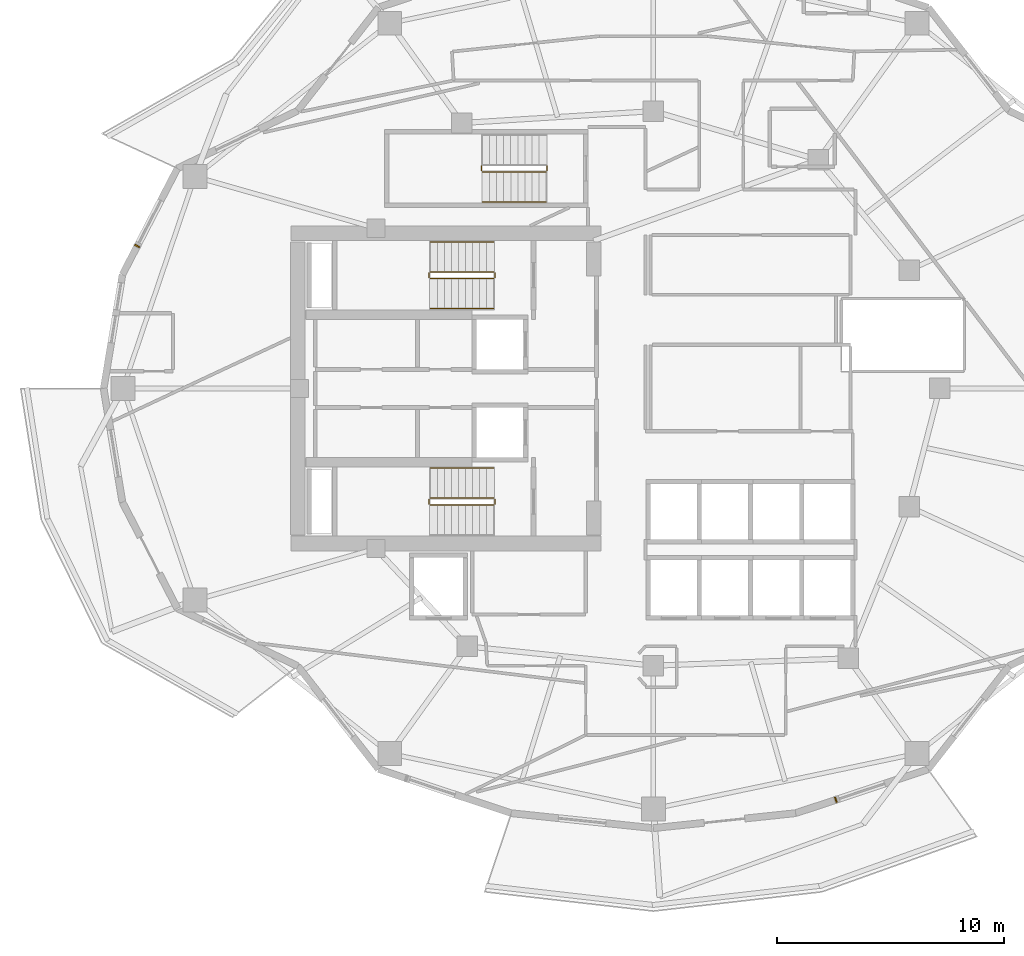
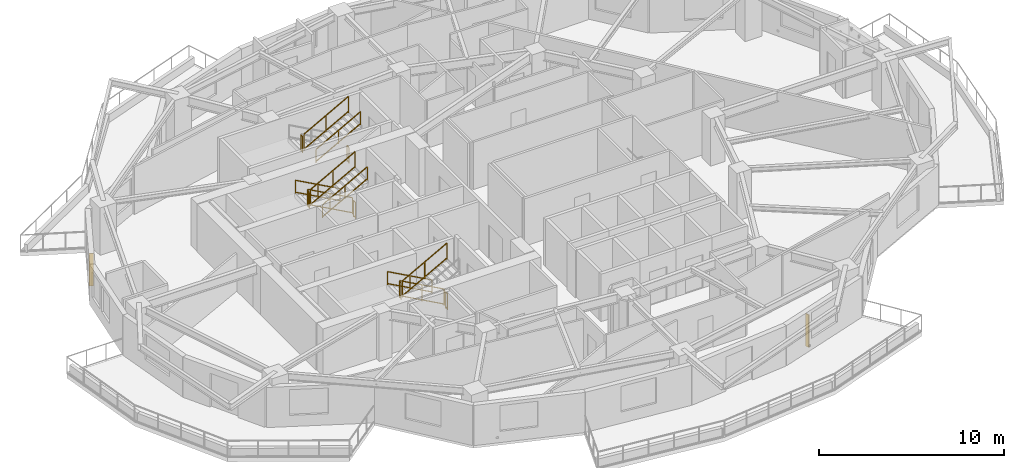
# One storey, part 12 of 14: 15 railings, 2 shading devices.
"""IFC4 building model written with IfcOpenShell, lengths in metres."""

import ifcopenshell
import ifcopenshell.guid

model = None  # the IFC model being written
_history = None  # IfcOwnerHistory: only IFC2X3 demands one
_inside = {}  # id of a spatial element -> (the spatial element, [elements in it])
_under = {}  # id of a project, library or spatial element -> (it, [spatial elements below it])
_declared = {}  # id of a project -> (the project, [libraries it declares])
_typed = {}  # id of a type object -> (the type object, [elements of that type])
_made_of = {}  # id of a material, layer set ... -> (it, [elements and type objects made of it])


def new_model(schema):
    """Start an empty IFC model of exactly this schema.

    Asked for "IFC4X3", IfcOpenShell would pick the latest addendum, in which some entities
    have other attributes; the version numbers below select the first issue.
    IFC2X3 requires an IfcOwnerHistory on every rooted entity: one is made here for all.
    """
    global model, _history
    if schema == "IFC4X3":
        model = ifcopenshell.file(schema_version=(4, 3, 0, 0))
    else:
        model = ifcopenshell.file(schema=schema)
    _inside.clear()
    _under.clear()
    _declared.clear()
    _typed.clear()
    _made_of.clear()
    _history = None
    if model.schema == "IFC2X3":
        org = make("IfcOrganization", Name="unknown")
        user = make(
            "IfcPersonAndOrganization",
            ThePerson=make("IfcPerson", FamilyName="unknown"),
            TheOrganization=org,
        )
        app = make(
            "IfcApplication",
            ApplicationDeveloper=org,
            Version="unknown",
            ApplicationFullName="unknown",
            ApplicationIdentifier="unknown",
        )
        _history = make(
            "IfcOwnerHistory",
            OwningUser=user,
            OwningApplication=app,
            ChangeAction="ADDED",
            CreationDate=0,
        )
    return model


def make(cls, **values):
    """One entity of the class cls with the attributes given. An attribute that is None is left unset."""
    return model.create_entity(
        cls, **{name: value for name, value in values.items() if value is not None}
    )


def rooted(cls, **values):
    """An entity with a GlobalId (a new one), such as an element, a storey or a relation."""
    return make(cls, GlobalId=ifcopenshell.guid.new(), OwnerHistory=_history, **values)


def si_unit(unit_type, name, prefix=None):
    """IfcSIUnit, for example si_unit("LENGTHUNIT", "METRE", prefix="MILLI")."""
    return make("IfcSIUnit", UnitType=unit_type, Prefix=prefix, Name=name)


def assignment(units):
    """IfcUnitAssignment: the units of a project."""
    return None if units is None else make("IfcUnitAssignment", Units=units)


def point(xyz):
    """IfcCartesianPoint."""
    return None if xyz is None else make("IfcCartesianPoint", Coordinates=xyz)


def direction(xyz):
    """IfcDirection."""
    return None if xyz is None else make("IfcDirection", DirectionRatios=xyz)


def frame(location, z_axis=None, x_axis=None):
    """IfcAxis2Placement3D, a coordinate frame: its origin and axes. An axis left out is left unset."""
    return make(
        "IfcAxis2Placement3D",
        Location=point(location),
        Axis=direction(z_axis),
        RefDirection=direction(x_axis),
    )


def frame_2d(location, x_axis=None):
    """IfcAxis2Placement2D, a coordinate frame in the plane: its origin and x axis."""
    return make(
        "IfcAxis2Placement2D", Location=point(location), RefDirection=direction(x_axis)
    )


def origin():
    """The frame at (0, 0, 0) with its axes left unset."""
    return frame((0.0, 0.0, 0.0))


def origin_2d():
    """The frame at (0, 0) in the plane with its x axis left unset."""
    return frame_2d((0.0, 0.0))


def place(relative_to, where):
    """IfcLocalPlacement: puts the frame where relative to a parent placement (None: the world)."""
    return make(
        "IfcLocalPlacement", PlacementRelTo=relative_to, RelativePlacement=where
    )


def context(
    kind, dimensions, precision=None, world=None, true_north=None, identifier=None
):
    """IfcGeometricRepresentationContext, for example the 3D "Model" context."""
    return make(
        "IfcGeometricRepresentationContext",
        ContextIdentifier=identifier,
        ContextType=kind,
        CoordinateSpaceDimension=dimensions,
        Precision=precision,
        WorldCoordinateSystem=world,
        TrueNorth=true_north,
    )


def subcontext(parent, identifier, kind, view, scale=None):
    """IfcGeometricRepresentationSubContext, for example "Body" below "Model"."""
    return make(
        "IfcGeometricRepresentationSubContext",
        ContextIdentifier=identifier,
        ContextType=kind,
        ParentContext=parent,
        TargetScale=scale,
        TargetView=view,
    )


def project(units=None, contexts=None):
    """IfcProject with its units and contexts."""
    return rooted(
        "IfcProject",
        Name="project",
        RepresentationContexts=contexts,
        UnitsInContext=assignment(units),
    )


def spatial(cls, under=None, at=None, **own):
    """A site, building, storey or space (cls), placed at a placement, below another one or the project."""
    s = rooted(cls, ObjectPlacement=at, **own)
    if under is not None:
        _under.setdefault(under.id(), (under, []))[1].append(s)
    return s


def profile(cls, at=None, kind="AREA", **sizes):
    """A parametric profile (cls). Its sizes go by their IFC names, for example OverallWidth=200.0."""
    return make(cls, ProfileType=kind, Position=at, **sizes)


def rectangle(**sizes):
    """IfcRectangleProfileDef."""
    return profile("IfcRectangleProfileDef", **sizes)


def extrude(swept, where, along, depth):
    """IfcExtrudedAreaSolid: the profile swept, set in the frame where, extruded along a direction by depth."""
    return make(
        "IfcExtrudedAreaSolid",
        SweptArea=swept,
        Position=where,
        ExtrudedDirection=direction(along),
        Depth=depth,
    )


def shape(context_of_items, identifier, shape_type, items):
    """IfcShapeRepresentation: the items that make up one representation, for example the "Body"."""
    return make(
        "IfcShapeRepresentation",
        ContextOfItems=context_of_items,
        RepresentationIdentifier=identifier,
        RepresentationType=shape_type,
        Items=items,
    )


def material(Name=None, Category=None):
    """IfcMaterial."""
    return make("IfcMaterial", Name=Name, Category=Category)


def made_of(thing, what):
    """Note that an element or type object is made of a material, layer set ...; save() writes the relation."""
    if what is not None:
        _made_of.setdefault(what.id(), (what, []))[1].append(thing)
    return thing


def type_object(cls, material=None, **own):
    """A type object (cls), such as IfcWallType, which elements share."""
    return made_of(rooted(cls, **own), material)


def element(
    cls,
    number,
    at=None,
    inside=None,
    cuts=None,
    type_object=None,
    material=None,
    context=None,
    identifier="Body",
    shape_type=None,
    held_by="IfcProductDefinitionShape",
    body=None,
    shapes=None,
    **own,
):
    """One element of the class cls, such as IfcWall. Its Tag is "e" and its number.

    at: its placement. inside: the storey or other place that contains it. cuts: it is an
    opening in that element (IfcRelVoidsElement). A single representation is given by context,
    identifier, shape_type and body (its items); several are given by shapes. held_by: the class
    of the entity that holds the representations. save() writes the other relations.
    """
    e = rooted(cls, Tag="e%d" % number, ObjectPlacement=at, **own)
    if body is not None:
        shapes = [shape(context, identifier, shape_type, body)]
    if shapes is not None:
        e.Representation = make(held_by, Representations=shapes)
    if inside is not None:
        _inside.setdefault(inside.id(), (inside, []))[1].append(e)
    if cuts is not None:
        rooted(
            "IfcRelVoidsElement", RelatingBuildingElement=cuts, RelatedOpeningElement=e
        )
    if type_object is not None:
        _typed.setdefault(type_object.id(), (type_object, []))[1].append(e)
    return made_of(e, material)


def aggregate(whole, parts):
    """IfcRelAggregates: a whole, such as a stair, and the parts it consists of."""
    return rooted("IfcRelAggregates", RelatingObject=whole, RelatedObjects=parts)


def save(model, path):
    """Write the relations noted so far, then the file.

    IfcRelAggregates (storeys below a building ...), IfcRelContainedInSpatialStructure (elements
    in a storey), IfcRelDefinesByType, IfcRelAssociatesMaterial and IfcRelDeclares: one each for
    every whole, place, type object, material and project.
    """
    for whole, parts in _under.values():
        aggregate(whole, parts)
    for where, things in _inside.values():
        rooted(
            "IfcRelContainedInSpatialStructure",
            RelatedElements=things,
            RelatingStructure=where,
        )
    for kind, things in _typed.values():
        rooted("IfcRelDefinesByType", RelatedObjects=things, RelatingType=kind)
    for what, things in _made_of.values():
        rooted("IfcRelAssociatesMaterial", RelatedObjects=things, RelatingMaterial=what)
    for by, libraries in _declared.values():
        rooted("IfcRelDeclares", RelatingContext=by, RelatedDefinitions=libraries)
    model.write(path)


model = new_model("IFC4")

# Units and contexts
model_context = context("Model", 3, precision=1e-05, world=origin(), true_north=direction((0.0, 1.0)))
body_context = subcontext(model_context, "Body", "Model", "MODEL_VIEW")
ifc_project = project(units=[si_unit("LENGTHUNIT", "METRE"), si_unit("AREAUNIT", "SQUARE_METRE"), si_unit("VOLUMEUNIT", "CUBIC_METRE"), si_unit("PLANEANGLEUNIT", "RADIAN"), si_unit("MASSUNIT", "GRAM", prefix="KILO")], contexts=[model_context])

# Site, building, storey
site_placement = place(None, origin())
site = spatial("IfcSite", under=ifc_project, at=site_placement, CompositionType="ELEMENT")
building_placement = place(site_placement, origin())
building = spatial("IfcBuilding", under=site, at=building_placement, Name="Kolvaren Gate Tower and Convention Centre", CompositionType="ELEMENT")
storey_placement = place(building_placement, frame((0.0, 0.0, 118.89990234375)))
storey = spatial("IfcBuildingStorey", under=building, at=storey_placement, Name="L29", CompositionType="ELEMENT", Elevation=118.89990234375)

# Railings
ifc_material_1 = material(Name="Brushed Stainless Steel Grade 316L", Category="steel")
railing_type_1 = type_object("IfcRailingType", Name="ARCH-RL-GUARD-1150", PredefinedType="GUARDRAIL", material=ifc_material_1)
railing_1_placement = place(storey_placement, frame((23.10009765625, 32.1298828125, 0.170166015625)))
element("IfcRailing", 1, at=railing_1_placement, inside=storey, type_object=railing_type_1, Name="L29 ST-T1 stair guard 1", PredefinedType="GUARDRAIL", context=body_context, shape_type="SweptSolid", body=[
    extrude(rectangle(XDim=0.048095703125, YDim=0.048095703125, at=origin_2d()), frame((0.0, 0.0, 1.076171875), z_axis=(-0.876811365212, 0.0, 0.480834513982), x_axis=(0.0, -1.0, 0.0)), (0.0, 0.0, 1.0), 3.18212890625),
    extrude(rectangle(XDim=0.048095703125, YDim=0.048095703125, at=origin_2d()), frame((0.0, 0.0, 0.083984375), z_axis=(-0.876811365212, 0.0, 0.480834513982), x_axis=(0.0, -1.0, 0.0)), (0.0, 0.0, 1.0), 3.18212890625),
    extrude(rectangle(XDim=0.0419921875, YDim=0.0419921875, at=origin_2d()), origin(), (0.0, 0.0, 1.0), 1.050048828125),
    extrude(rectangle(XDim=0.0419921875, YDim=0.0419921875, at=origin_2d()), frame((-2.7900390625, 0.0, 1.530029296875)), (0.0, 0.0, 1.0), 1.050048828125),
    extrude(rectangle(XDim=0.0419921875, YDim=0.0419921875, at=origin_2d()), frame((-1.39501953125, 0.0, 0.76513671875)), (0.0, 0.0, 1.0), 1.050048828125),
])
railing_2_placement = place(storey_placement, frame((20.260009765625, 32.080078125, 1.7001953125)))
element("IfcRailing", 2, at=railing_2_placement, inside=storey, type_object=railing_type_1, Name="L29 ST-T1 stair guard 2", PredefinedType="GUARDRAIL", context=body_context, shape_type="SweptSolid", body=[
    extrude(rectangle(XDim=0.048095703125, YDim=0.048095703125, at=origin_2d()), frame((0.0, 0.0, 1.076171875), z_axis=(0.0, -1.0, 0.0), x_axis=(1.0, 0.0, 0.0)), (0.0, 0.0, 1.0), 0.2001953125),
    extrude(rectangle(XDim=0.048095703125, YDim=0.048095703125, at=origin_2d()), frame((0.0, 0.0, 0.083984375), z_axis=(0.0, -1.0, 0.0), x_axis=(1.0, 0.0, 0.0)), (0.0, 0.0, 1.0), 0.2001953125),
    extrude(rectangle(XDim=0.0419921875, YDim=0.0419921875, at=origin_2d()), origin(), (0.0, 0.0, 1.0), 1.050048828125),
    extrude(rectangle(XDim=0.0419921875, YDim=0.0419921875, at=origin_2d()), frame((0.0, -0.2001953125, 0.0)), (0.0, 0.0, 1.0), 1.050048828125),
])
railing_3_placement = place(storey_placement, frame((20.31005859375, 31.830078125, 1.8701171875)))
element("IfcRailing", 3, at=railing_3_placement, inside=storey, type_object=railing_type_1, Name="L29 ST-T1 stair guard 3", PredefinedType="GUARDRAIL", context=body_context, shape_type="SweptSolid", body=[
    extrude(rectangle(XDim=0.048095703125, YDim=0.048095703125, at=origin_2d()), frame((0.0, 0.0, 1.076171875), z_axis=(0.876811365212, 0.0, 0.480834513982), x_axis=(0.0, 1.0, 0.0)), (0.0, 0.0, 1.0), 3.18212890625),
    extrude(rectangle(XDim=0.048095703125, YDim=0.048095703125, at=origin_2d()), frame((0.0, 0.0, 0.083984375), z_axis=(0.876811365212, 0.0, 0.480834513982), x_axis=(0.0, 1.0, 0.0)), (0.0, 0.0, 1.0), 3.18212890625),
    extrude(rectangle(XDim=0.0419921875, YDim=0.0419921875, at=origin_2d()), origin(), (0.0, 0.0, 1.0), 1.050048828125),
    extrude(rectangle(XDim=0.0419921875, YDim=0.0419921875, at=origin_2d()), frame((2.7900390625, 0.0, 1.530029296875)), (0.0, 0.0, 1.0), 1.050048828125),
    extrude(rectangle(XDim=0.0419921875, YDim=0.0419921875, at=origin_2d()), frame((1.39501953125, 0.0, 0.76513671875)), (0.0, 0.0, 1.0), 1.050048828125),
])
railing_4_placement = place(storey_placement, frame((23.14990234375, 32.080078125, 0.0)))
element("IfcRailing", 4, at=railing_4_placement, inside=storey, type_object=railing_type_1, Name="L29 ST-T1 stair guard 4", PredefinedType="GUARDRAIL", context=body_context, shape_type="SweptSolid", body=[
    extrude(rectangle(XDim=0.048095703125, YDim=0.048095703125, at=origin_2d()), frame((0.0, 0.0, 1.076171875), z_axis=(0.0, -1.0, 0.0), x_axis=(1.0, 0.0, 0.0)), (0.0, 0.0, 1.0), 0.2001953125),
    extrude(rectangle(XDim=0.048095703125, YDim=0.048095703125, at=origin_2d()), frame((0.0, 0.0, 0.083984375), z_axis=(0.0, -1.0, 0.0), x_axis=(1.0, 0.0, 0.0)), (0.0, 0.0, 1.0), 0.2001953125),
    extrude(rectangle(XDim=0.0419921875, YDim=0.0419921875, at=origin_2d()), origin(), (0.0, 0.0, 1.0), 1.050048828125),
    extrude(rectangle(XDim=0.0419921875, YDim=0.0419921875, at=origin_2d()), frame((0.0, -0.2001953125, 0.0)), (0.0, 0.0, 1.0), 1.050048828125),
])
railing_5_placement = place(storey_placement, frame((23.10009765625, 22.169921875, 0.170166015625)))
element("IfcRailing", 5, at=railing_5_placement, inside=storey, type_object=railing_type_1, Name="L29 ST-T2 stair guard 1", PredefinedType="GUARDRAIL", context=body_context, shape_type="SweptSolid", body=[
    extrude(rectangle(XDim=0.048095703125, YDim=0.048095703125, at=origin_2d()), frame((0.0, 0.0, 1.076171875), z_axis=(-0.876811365212, 0.0, 0.480834513982), x_axis=(0.0, -1.0, 0.0)), (0.0, 0.0, 1.0), 3.18212890625),
    extrude(rectangle(XDim=0.048095703125, YDim=0.048095703125, at=origin_2d()), frame((0.0, 0.0, 0.083984375), z_axis=(-0.876811365212, 0.0, 0.480834513982), x_axis=(0.0, -1.0, 0.0)), (0.0, 0.0, 1.0), 3.18212890625),
    extrude(rectangle(XDim=0.0419921875, YDim=0.0419921875, at=origin_2d()), origin(), (0.0, 0.0, 1.0), 1.050048828125),
    extrude(rectangle(XDim=0.0419921875, YDim=0.0419921875, at=origin_2d()), frame((-2.7900390625, 0.0, 1.530029296875)), (0.0, 0.0, 1.0), 1.050048828125),
    extrude(rectangle(XDim=0.0419921875, YDim=0.0419921875, at=origin_2d()), frame((-1.39501953125, 0.0, 0.76513671875)), (0.0, 0.0, 1.0), 1.050048828125),
])
railing_6_placement = place(storey_placement, frame((20.260009765625, 22.1201171875, 1.7001953125)))
element("IfcRailing", 6, at=railing_6_placement, inside=storey, type_object=railing_type_1, Name="L29 ST-T2 stair guard 2", PredefinedType="GUARDRAIL", context=body_context, shape_type="SweptSolid", body=[
    extrude(rectangle(XDim=0.048095703125, YDim=0.048095703125, at=origin_2d()), frame((0.0, 0.0, 1.076171875), z_axis=(0.0, -1.0, 0.0), x_axis=(1.0, 0.0, 0.0)), (0.0, 0.0, 1.0), 0.2001953125),
    extrude(rectangle(XDim=0.048095703125, YDim=0.048095703125, at=origin_2d()), frame((0.0, 0.0, 0.083984375), z_axis=(0.0, -1.0, 0.0), x_axis=(1.0, 0.0, 0.0)), (0.0, 0.0, 1.0), 0.2001953125),
    extrude(rectangle(XDim=0.0419921875, YDim=0.0419921875, at=origin_2d()), origin(), (0.0, 0.0, 1.0), 1.050048828125),
    extrude(rectangle(XDim=0.0419921875, YDim=0.0419921875, at=origin_2d()), frame((0.0, -0.2001953125, 0.0)), (0.0, 0.0, 1.0), 1.050048828125),
])
railing_7_placement = place(storey_placement, frame((20.31005859375, 21.8701171875, 1.8701171875)))
element("IfcRailing", 7, at=railing_7_placement, inside=storey, type_object=railing_type_1, Name="L29 ST-T2 stair guard 3", PredefinedType="GUARDRAIL", context=body_context, shape_type="SweptSolid", body=[
    extrude(rectangle(XDim=0.048095703125, YDim=0.048095703125, at=origin_2d()), frame((0.0, 0.0, 1.076171875), z_axis=(0.876811365212, 0.0, 0.480834513982), x_axis=(0.0, 1.0, 0.0)), (0.0, 0.0, 1.0), 3.18212890625),
    extrude(rectangle(XDim=0.048095703125, YDim=0.048095703125, at=origin_2d()), frame((0.0, 0.0, 0.083984375), z_axis=(0.876811365212, 0.0, 0.480834513982), x_axis=(0.0, 1.0, 0.0)), (0.0, 0.0, 1.0), 3.18212890625),
    extrude(rectangle(XDim=0.0419921875, YDim=0.0419921875, at=origin_2d()), origin(), (0.0, 0.0, 1.0), 1.050048828125),
    extrude(rectangle(XDim=0.0419921875, YDim=0.0419921875, at=origin_2d()), frame((2.7900390625, 0.0, 1.530029296875)), (0.0, 0.0, 1.0), 1.050048828125),
    extrude(rectangle(XDim=0.0419921875, YDim=0.0419921875, at=origin_2d()), frame((1.39501953125, 0.0, 0.76513671875)), (0.0, 0.0, 1.0), 1.050048828125),
])
railing_8_placement = place(storey_placement, frame((23.14990234375, 22.1201171875, 0.0)))
element("IfcRailing", 8, at=railing_8_placement, inside=storey, type_object=railing_type_1, Name="L29 ST-T2 stair guard 4", PredefinedType="GUARDRAIL", context=body_context, shape_type="SweptSolid", body=[
    extrude(rectangle(XDim=0.048095703125, YDim=0.048095703125, at=origin_2d()), frame((0.0, 0.0, 1.076171875), z_axis=(0.0, -1.0, 0.0), x_axis=(1.0, 0.0, 0.0)), (0.0, 0.0, 1.0), 0.2001953125),
    extrude(rectangle(XDim=0.048095703125, YDim=0.048095703125, at=origin_2d()), frame((0.0, 0.0, 0.083984375), z_axis=(0.0, -1.0, 0.0), x_axis=(1.0, 0.0, 0.0)), (0.0, 0.0, 1.0), 0.2001953125),
    extrude(rectangle(XDim=0.0419921875, YDim=0.0419921875, at=origin_2d()), origin(), (0.0, 0.0, 1.0), 1.050048828125),
    extrude(rectangle(XDim=0.0419921875, YDim=0.0419921875, at=origin_2d()), frame((0.0, -0.2001953125, 0.0)), (0.0, 0.0, 1.0), 1.050048828125),
])
railing_9_placement = place(storey_placement, frame((22.56005859375, 36.780029296875, 1.7001953125)))
element("IfcRailing", 9, at=railing_9_placement, inside=storey, type_object=railing_type_1, Name="L29 ST-T3 stair guard 2", PredefinedType="GUARDRAIL", context=body_context, shape_type="SweptSolid", body=[
    extrude(rectangle(XDim=0.048095703125, YDim=0.048095703125, at=origin_2d()), frame((0.0, 0.0, 1.076171875), z_axis=(0.0, -1.0, 0.0), x_axis=(1.0, 0.0, 0.0)), (0.0, 0.0, 1.0), 0.199951171875),
    extrude(rectangle(XDim=0.048095703125, YDim=0.048095703125, at=origin_2d()), frame((0.0, 0.0, 0.083984375), z_axis=(0.0, -1.0, 0.0), x_axis=(1.0, 0.0, 0.0)), (0.0, 0.0, 1.0), 0.199951171875),
    extrude(rectangle(XDim=0.0419921875, YDim=0.0419921875, at=origin_2d()), origin(), (0.0, 0.0, 1.0), 1.050048828125),
    extrude(rectangle(XDim=0.0419921875, YDim=0.0419921875, at=origin_2d()), frame((0.0, -0.199951171875, 0.0)), (0.0, 0.0, 1.0), 1.050048828125),
])
railing_10_placement = place(storey_placement, frame((22.610107421875, 36.530029296875, 1.8701171875)))
element("IfcRailing", 10, at=railing_10_placement, inside=storey, type_object=railing_type_1, Name="L29 ST-T3 stair guard 3", PredefinedType="GUARDRAIL", context=body_context, shape_type="SweptSolid", body=[
    extrude(rectangle(XDim=0.048095703125, YDim=0.048095703125, at=origin_2d()), frame((0.0, 0.0, 1.076171875), z_axis=(0.8767936245, 0.0, 0.480866863109), x_axis=(0.0, 1.0, 0.0)), (0.0, 0.0, 1.0), 3.181884765625),
    extrude(rectangle(XDim=0.048095703125, YDim=0.048095703125, at=origin_2d()), frame((0.0, 0.0, 0.083984375), z_axis=(0.8767936245, 0.0, 0.480866863109), x_axis=(0.0, 1.0, 0.0)), (0.0, 0.0, 1.0), 3.181884765625),
    extrude(rectangle(XDim=0.0419921875, YDim=0.0419921875, at=origin_2d()), origin(), (0.0, 0.0, 1.0), 1.050048828125),
    extrude(rectangle(XDim=0.0419921875, YDim=0.0419921875, at=origin_2d()), frame((2.789794921875, 0.0, 1.530029296875)), (0.0, 0.0, 1.0), 1.050048828125),
    extrude(rectangle(XDim=0.0419921875, YDim=0.0419921875, at=origin_2d()), frame((1.39501953125, 0.0, 0.76513671875)), (0.0, 0.0, 1.0), 1.050048828125),
])
railing_11_placement = place(storey_placement, frame((25.449951171875, 36.780029296875, 0.0)))
element("IfcRailing", 11, at=railing_11_placement, inside=storey, type_object=railing_type_1, Name="L29 ST-T3 stair guard 4", PredefinedType="GUARDRAIL", context=body_context, shape_type="SweptSolid", body=[
    extrude(rectangle(XDim=0.048095703125, YDim=0.048095703125, at=origin_2d()), frame((0.0, 0.0, 1.076171875), z_axis=(0.0, -1.0, 0.0), x_axis=(1.0, 0.0, 0.0)), (0.0, 0.0, 1.0), 0.199951171875),
    extrude(rectangle(XDim=0.048095703125, YDim=0.048095703125, at=origin_2d()), frame((0.0, 0.0, 0.083984375), z_axis=(0.0, -1.0, 0.0), x_axis=(1.0, 0.0, 0.0)), (0.0, 0.0, 1.0), 0.199951171875),
    extrude(rectangle(XDim=0.0419921875, YDim=0.0419921875, at=origin_2d()), origin(), (0.0, 0.0, 1.0), 1.050048828125),
    extrude(rectangle(XDim=0.0419921875, YDim=0.0419921875, at=origin_2d()), frame((0.0, -0.199951171875, 0.0)), (0.0, 0.0, 1.0), 1.050048828125),
])
railing_type_2 = type_object("IfcRailingType", Name="ARCH-RL-HANDRAIL-920", PredefinedType="HANDRAIL", material=ifc_material_1)
railing_12_placement = place(storey_placement, frame((23.10009765625, 33.449951171875, 0.170166015625)))
element("IfcRailing", 12, at=railing_12_placement, inside=storey, type_object=railing_type_2, Name="L29 ST-T1 stair handrail 1", PredefinedType="HANDRAIL", context=body_context, shape_type="SweptSolid", body=[
    extrude(rectangle(XDim=0.048095703125, YDim=0.048095703125, at=origin_2d()), frame((0.0, 0.0, 0.8759765625), z_axis=(-0.876811365212, 0.0, 0.480834513982), x_axis=(0.0, -1.0, 0.0)), (0.0, 0.0, 1.0), 3.18212890625),
    extrude(rectangle(XDim=0.048095703125, YDim=0.048095703125, at=origin_2d()), frame((0.0, 0.0, 0.083984375), z_axis=(-0.876811365212, 0.0, 0.480834513982), x_axis=(0.0, -1.0, 0.0)), (0.0, 0.0, 1.0), 3.18212890625),
    extrude(rectangle(XDim=0.0419921875, YDim=0.0419921875, at=origin_2d()), origin(), (0.0, 0.0, 1.0), 0.849853515625),
    extrude(rectangle(XDim=0.0419921875, YDim=0.0419921875, at=origin_2d()), frame((-2.7900390625, 0.0, 1.530029296875)), (0.0, 0.0, 1.0), 0.849853515625),
    extrude(rectangle(XDim=0.0419921875, YDim=0.0419921875, at=origin_2d()), frame((-1.39501953125, 0.0, 0.76513671875)), (0.0, 0.0, 1.0), 0.849853515625),
])
railing_13_placement = place(storey_placement, frame((20.31005859375, 30.510009765625, 1.8701171875)))
element("IfcRailing", 13, at=railing_13_placement, inside=storey, type_object=railing_type_2, Name="L29 ST-T1 stair handrail 2", PredefinedType="HANDRAIL", context=body_context, shape_type="SweptSolid", body=[
    extrude(rectangle(XDim=0.048095703125, YDim=0.048095703125, at=origin_2d()), frame((0.0, 0.0, 0.8759765625), z_axis=(0.876811365212, 0.0, 0.480834513982), x_axis=(0.0, 1.0, 0.0)), (0.0, 0.0, 1.0), 3.18212890625),
    extrude(rectangle(XDim=0.048095703125, YDim=0.048095703125, at=origin_2d()), frame((0.0, 0.0, 0.083984375), z_axis=(0.876811365212, 0.0, 0.480834513982), x_axis=(0.0, 1.0, 0.0)), (0.0, 0.0, 1.0), 3.18212890625),
    extrude(rectangle(XDim=0.0419921875, YDim=0.0419921875, at=origin_2d()), origin(), (0.0, 0.0, 1.0), 0.849853515625),
    extrude(rectangle(XDim=0.0419921875, YDim=0.0419921875, at=origin_2d()), frame((2.7900390625, 0.0, 1.530029296875)), (0.0, 0.0, 1.0), 0.849853515625),
    extrude(rectangle(XDim=0.0419921875, YDim=0.0419921875, at=origin_2d()), frame((1.39501953125, 0.0, 0.76513671875)), (0.0, 0.0, 1.0), 0.849853515625),
])
railing_14_placement = place(storey_placement, frame((23.10009765625, 23.489990234375, 0.170166015625)))
element("IfcRailing", 14, at=railing_14_placement, inside=storey, type_object=railing_type_2, Name="L29 ST-T2 stair handrail 1", PredefinedType="HANDRAIL", context=body_context, shape_type="SweptSolid", body=[
    extrude(rectangle(XDim=0.048095703125, YDim=0.048095703125, at=origin_2d()), frame((0.0, 0.0, 0.8759765625), z_axis=(-0.876811365212, 0.0, 0.480834513982), x_axis=(0.0, -1.0, 0.0)), (0.0, 0.0, 1.0), 3.18212890625),
    extrude(rectangle(XDim=0.048095703125, YDim=0.048095703125, at=origin_2d()), frame((0.0, 0.0, 0.083984375), z_axis=(-0.876811365212, 0.0, 0.480834513982), x_axis=(0.0, -1.0, 0.0)), (0.0, 0.0, 1.0), 3.18212890625),
    extrude(rectangle(XDim=0.0419921875, YDim=0.0419921875, at=origin_2d()), origin(), (0.0, 0.0, 1.0), 0.849853515625),
    extrude(rectangle(XDim=0.0419921875, YDim=0.0419921875, at=origin_2d()), frame((-2.7900390625, 0.0, 1.530029296875)), (0.0, 0.0, 1.0), 0.849853515625),
    extrude(rectangle(XDim=0.0419921875, YDim=0.0419921875, at=origin_2d()), frame((-1.39501953125, 0.0, 0.76513671875)), (0.0, 0.0, 1.0), 0.849853515625),
])
railing_15_placement = place(storey_placement, frame((22.610107421875, 35.2099609375, 1.8701171875)))
element("IfcRailing", 15, at=railing_15_placement, inside=storey, type_object=railing_type_2, Name="L29 ST-T3 stair handrail 2", PredefinedType="HANDRAIL", context=body_context, shape_type="SweptSolid", body=[
    extrude(rectangle(XDim=0.048095703125, YDim=0.048095703125, at=origin_2d()), frame((0.0, 0.0, 0.8759765625), z_axis=(0.8767936245, 0.0, 0.480866863109), x_axis=(0.0, 1.0, 0.0)), (0.0, 0.0, 1.0), 3.181884765625),
    extrude(rectangle(XDim=0.048095703125, YDim=0.048095703125, at=origin_2d()), frame((0.0, 0.0, 0.083984375), z_axis=(0.8767936245, 0.0, 0.480866863109), x_axis=(0.0, 1.0, 0.0)), (0.0, 0.0, 1.0), 3.181884765625),
    extrude(rectangle(XDim=0.0419921875, YDim=0.0419921875, at=origin_2d()), origin(), (0.0, 0.0, 1.0), 0.849853515625),
    extrude(rectangle(XDim=0.0419921875, YDim=0.0419921875, at=origin_2d()), frame((2.789794921875, 0.0, 1.530029296875)), (0.0, 0.0, 1.0), 0.849853515625),
    extrude(rectangle(XDim=0.0419921875, YDim=0.0419921875, at=origin_2d()), frame((1.39501953125, 0.0, 0.76513671875)), (0.0, 0.0, 1.0), 0.849853515625),
])

# Shading devices
ifc_material_2 = material(Name="Kiln-Fired Bogota Terracotta Ceramic Louvre Profile", Category="masonry")
shading_device_type = type_object("IfcShadingDeviceType", Name="ARCH-SHD-FIN-180", PredefinedType="JALOUSIE", material=ifc_material_2)
for number, where, z_axis, x_axis, name in (
    (16, (7.413818359375, 33.267333984375, 0.22021484375), (0.0, 0.0, 1.0), (0.459781360558, 0.888032150591, 0.0), "Ceramic Vertical Brise-Soleil Fin FN-L29-10"),
    (17, (38.153564453125, 8.895263671875, 0.22021484375), (0.0, 0.0, 1.0), (0.949240081615, 0.314552487599, 0.0), "Ceramic Vertical Brise-Soleil Fin FN-L29-19"),
):
    element("IfcShadingDevice", number, at=place(storey_placement, frame(where, z_axis=z_axis, x_axis=x_axis)), inside=storey, type_object=shading_device_type, Name=name, PredefinedType="JALOUSIE", context=body_context, shape_type="SweptSolid", body=[
        extrude(rectangle(XDim=0.06005859375, YDim=0.239990234375, at=origin_2d()), origin(), (0.0, 0.0, 1.0), 2.14990234375),
    ])

save(model, "model.ifc")
